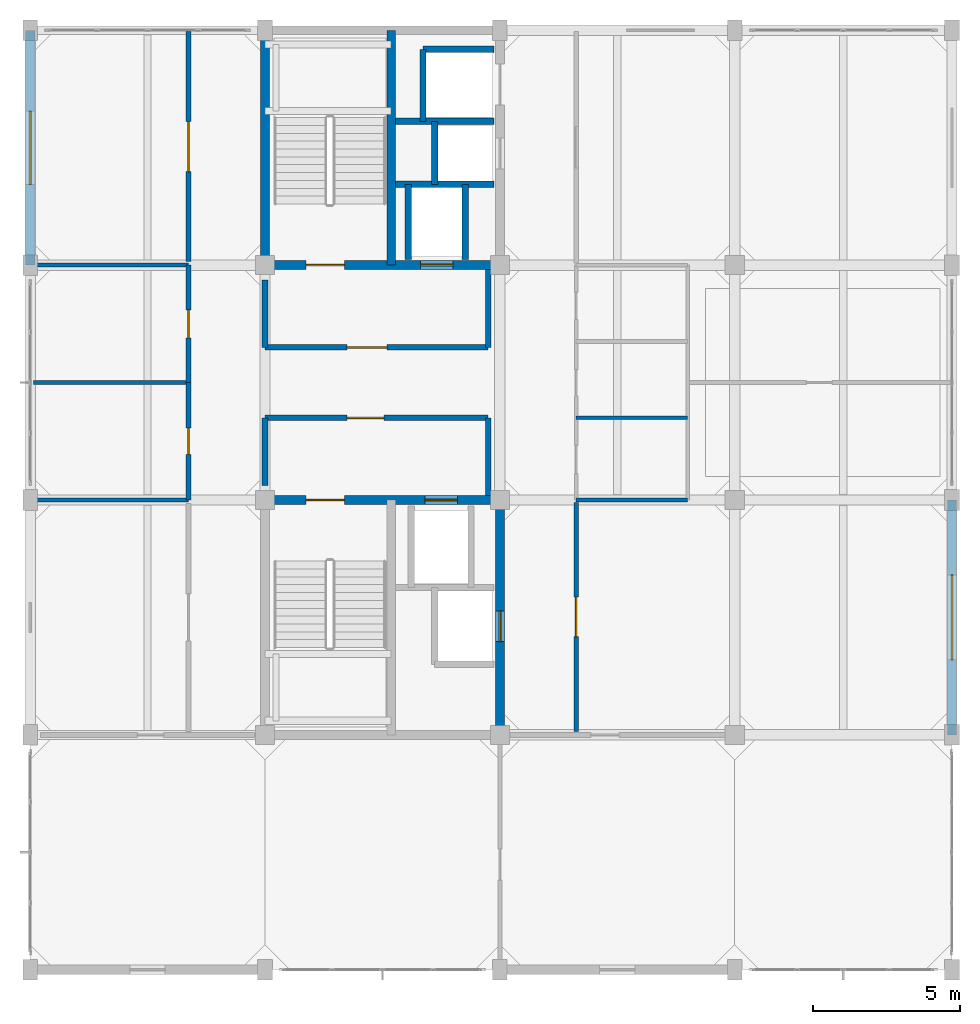
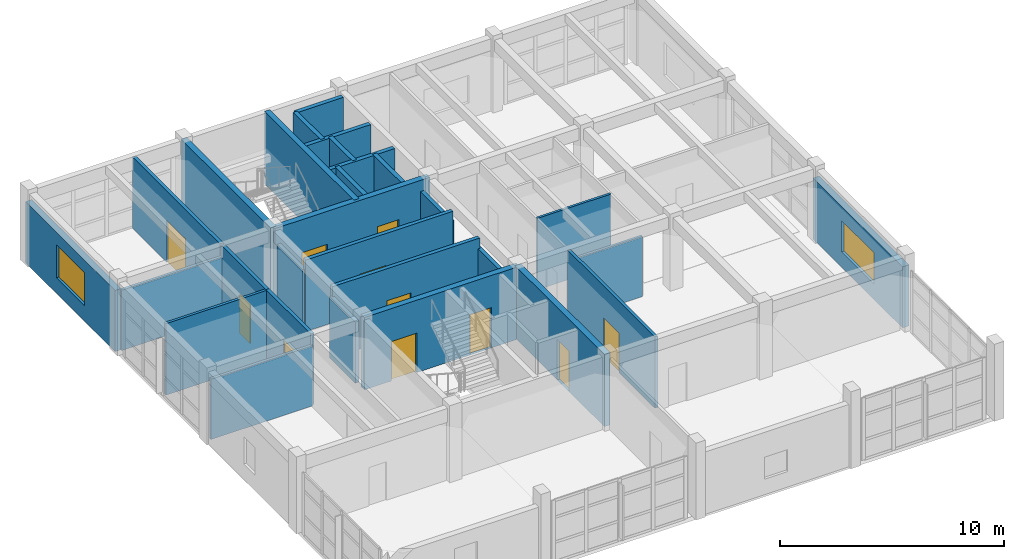
# One storey, part 15 of 18: 29 walls, 11 doors, 2 windows, 13 openings.
"""IFC4 building model written with IfcOpenShell, lengths in metres."""

from ifc_helpers import new_model, si_unit, direction, frame, frame_2d, origin, place, context, subcontext, project, spatial, rectangle, extrude, material, layer, layer_set, type_object, element, fill, save


model = new_model("IFC4")

# Units and contexts
model_context = context("Model", 3, precision=1e-05, world=origin(), true_north=direction((0.0, 1.0)))
body_context = subcontext(model_context, "Body", "Model", "MODEL_VIEW")
ifc_project = project(units=[si_unit("LENGTHUNIT", "METRE"), si_unit("AREAUNIT", "SQUARE_METRE"), si_unit("VOLUMEUNIT", "CUBIC_METRE"), si_unit("PLANEANGLEUNIT", "RADIAN"), si_unit("MASSUNIT", "GRAM", prefix="KILO")], contexts=[model_context])

# Site, building, storey
site_placement = place(None, origin())
site = spatial("IfcSite", under=ifc_project, at=site_placement, CompositionType="ELEMENT")
building_placement = place(site_placement, origin())
building = spatial("IfcBuilding", under=site, at=building_placement, Name="Canggui Botanical Conservatory", CompositionType="ELEMENT")
storey_placement = place(building_placement, frame((0.0, 0.0, 52.800048828125)))
storey = spatial("IfcBuildingStorey", under=building, at=storey_placement, Name="L13", CompositionType="ELEMENT", Elevation=52.800048828125)

# Wall, opening, window
ifc_material_1 = material(Name="Precast Concrete C40", Category="concrete")
ifc_layer_1 = layer(ifc_material_1, 0.320068359375, Name="Precast Concrete C40", Category="concrete")
ifc_layer_set_1 = layer_set([ifc_layer_1], Name="Precast Concrete C40")
wall_type_1 = type_object("IfcWallType", Name="EW-320", PredefinedType="STANDARD", material=ifc_layer_set_1)
wall_1_placement = place(storey_placement, frame((146.0, 58.0, 0.0), z_axis=(0.0, 0.0, 1.0), x_axis=(0.0, 1.0, 0.0)))
wall_1 = element("IfcWall", 1, at=wall_1_placement, inside=storey, type_object=wall_type_1, Name="Tower Insulated Exterior Wall L13-W8", PredefinedType="STANDARD", context=body_context, shape_type="SweptSolid", body=[
    extrude(rectangle(XDim=8.0, YDim=0.320068359375, at=frame_2d((4.0, 0.0))), origin(), (0.0, 0.0, 1.0), 3.33984375),
])
opening_1_placement = place(wall_1_placement, frame((2.75, 0.0, 0.85009765625)))
opening_1 = element("IfcOpeningElement", 2, at=opening_1_placement, cuts=wall_1, Name="Opening W-18", PredefinedType="OPENING", context=body_context, shape_type="SweptSolid", body=[
    extrude(rectangle(XDim=2.5, YDim=1.800048828125, at=frame_2d((1.25, 0.89990234375))), frame((0.0, 0.169921875, 0.0), z_axis=(0.0, -1.0, 0.0), x_axis=(1.0, 0.0, 0.0)), (0.0, 0.0, 1.0), 0.340087890625),
])
ifc_material_2 = material(Name="Low-E Insulated Glass", Category="glass")
window_type_1 = type_object("IfcWindowType", Name="WIN-18", PartitioningType="DOUBLE_PANEL_VERTICAL", PredefinedType="WINDOW", material=ifc_material_2)
window_1_placement = place(opening_1_placement, origin())
window_1 = element("IfcWindow", 3, at=window_1_placement, inside=storey, type_object=window_type_1, Name="Tower Window L13-8", OverallHeight=1.800048828125, OverallWidth=2.5, PartitioningType="SINGLE_PANEL", PredefinedType="WINDOW", context=body_context, shape_type="SweptSolid", body=[
    extrude(rectangle(XDim=2.5, YDim=1.800048828125, at=frame_2d((1.25, 0.89990234375))), frame((0.0, 0.030029296875, 0.0), z_axis=(0.0, -1.0, 0.0), x_axis=(1.0, 0.0, 0.0)), (0.0, 0.0, 1.0), 0.06005859375),
])
fill(opening_1, window_1)

wall_2_placement = place(storey_placement, frame((177.39990234375, 50.0, 0.0), z_axis=(0.0, 0.0, 1.0), x_axis=(0.0, -1.0, 0.0)))
wall_2 = element("IfcWall", 4, at=wall_2_placement, inside=storey, type_object=wall_type_1, Name="Tower Insulated Exterior Wall L13-E14", PredefinedType="STANDARD", context=body_context, shape_type="SweptSolid", body=[
    extrude(rectangle(XDim=8.0, YDim=0.320068359375, at=frame_2d((4.0, 0.0))), origin(), (0.0, 0.0, 1.0), 3.33984375),
])
opening_2_placement = place(wall_2_placement, frame((2.550048828125, 0.0, 0.85009765625)))
opening_2 = element("IfcOpeningElement", 5, at=opening_2_placement, cuts=wall_2, Name="Opening W-21", PredefinedType="OPENING", context=body_context, shape_type="SweptSolid", body=[
    extrude(rectangle(XDim=2.89990234375, YDim=1.699951171875, at=frame_2d((1.449951171875, 0.85009765625))), frame((0.0, 0.169921875, 0.0), z_axis=(0.0, -1.0, 0.0), x_axis=(1.0, 0.0, 0.0)), (0.0, 0.0, 1.0), 0.340087890625),
])
window_type_2 = type_object("IfcWindowType", Name="WIN-21", PartitioningType="TRIPLE_PANEL_VERTICAL", PredefinedType="WINDOW", material=ifc_material_2)
window_2_placement = place(opening_2_placement, origin())
window_2 = element("IfcWindow", 6, at=window_2_placement, inside=storey, type_object=window_type_2, Name="Tower Window L13-14", OverallHeight=1.699951171875, OverallWidth=2.89990234375, PartitioningType="SINGLE_PANEL", PredefinedType="WINDOW", context=body_context, shape_type="SweptSolid", body=[
    extrude(rectangle(XDim=2.89990234375, YDim=1.699951171875, at=frame_2d((1.449951171875, 0.85009765625))), frame((0.0, 0.030029296875, 0.0), z_axis=(0.0, -1.0, 0.0), x_axis=(1.0, 0.0, 0.0)), (0.0, 0.0, 1.0), 0.06005859375),
])
fill(opening_2, window_2)

# Wall, opening, door
ifc_material_3 = material(Name="Gypsum Plasterboard Partition")
ifc_layer_2 = layer(ifc_material_3, 0.175048828125, Name="Gypsum Plasterboard Partition")
ifc_layer_set_2 = layer_set([ifc_layer_2], Name="Gypsum Plasterboard Partition")
wall_type_2 = type_object("IfcWallType", Name="IW-CORR-175", PredefinedType="STANDARD", material=ifc_layer_set_2)
wall_3_placement = place(storey_placement, frame((151.39990234375, 58.1201171875, 0.0), z_axis=(0.0, 0.0, 1.0), x_axis=(0.0, 1.0, 0.0)))
wall_3 = element("IfcWall", 7, at=wall_3_placement, inside=storey, type_object=wall_type_2, Name="L13 Containment Write-Up Studio Corridor Wall", PredefinedType="STANDARD", context=body_context, shape_type="SweptSolid", body=[
    extrude(rectangle(XDim=7.829833984375, YDim=0.175048828125, at=frame_2d((3.9150390625, 0.0))), origin(), (0.0, 0.0, 1.0), 3.89990234375),
])
opening_3_placement = place(wall_3_placement, frame((3.06494140625, 0.0, 0.0)))
opening_3 = element("IfcOpeningElement", 8, at=opening_3_placement, cuts=wall_3, Name="Opening FD-16", PredefinedType="OPENING", context=body_context, shape_type="SweptSolid", body=[
    extrude(rectangle(XDim=1.699951171875, YDim=2.300048828125, at=frame_2d((0.85009765625, 1.14990234375))), frame((0.0, 0.09765625, 0.0), z_axis=(0.0, -1.0, 0.0), x_axis=(1.0, 0.0, 0.0)), (0.0, 0.0, 1.0), 0.195068359375),
])
ifc_material_4 = material(Name="Powder-Coated Steel", Category="steel")
door_type_1 = type_object("IfcDoorType", Name="FD-16", OperationType="NOTDEFINED", PredefinedType="DOOR", material=ifc_material_4)
door_1_placement = place(opening_3_placement, origin())
door_1 = element("IfcDoor", 9, at=door_1_placement, inside=storey, type_object=door_type_1, Name="L13 Containment Write-Up Studio Entrance Door", OperationType="DOUBLE_DOOR_SINGLE_SWING", OverallHeight=2.300048828125, OverallWidth=1.699951171875, PredefinedType="DOOR", context=body_context, shape_type="SweptSolid", body=[
    extrude(rectangle(XDim=1.699951171875, YDim=2.300048828125, at=frame_2d((0.85009765625, 1.14990234375))), frame((0.0, 0.02490234375, 0.0), z_axis=(0.0, -1.0, 0.0), x_axis=(1.0, 0.0, 0.0)), (0.0, 0.0, 1.0), 0.050048828125),
])
fill(opening_3, door_1)

wall_4_placement = place(storey_placement, frame((151.39990234375, 50.0, 0.0), z_axis=(0.0, 0.0, 1.0), x_axis=(0.0, 1.0, 0.0)))
wall_4 = element("IfcWall", 10, at=wall_4_placement, inside=storey, type_object=wall_type_2, Name="L13 Cleaners' Store Wall", PredefinedType="STANDARD", context=body_context, shape_type="SweptSolid", body=[
    extrude(rectangle(XDim=4.0, YDim=0.175048828125, at=frame_2d((2.0, 0.0))), origin(), (0.0, 0.0, 1.0), 3.89990234375),
])
opening_4_placement = place(wall_4_placement, frame((1.550048828125, 0.0, 0.0)))
opening_4 = element("IfcOpeningElement", 11, at=opening_4_placement, cuts=wall_4, Name="Opening FD-01", PredefinedType="OPENING", context=body_context, shape_type="SweptSolid", body=[
    extrude(rectangle(XDim=0.89990234375, YDim=2.10009765625, at=frame_2d((0.449951171875, 1.050048828125))), frame((0.0, 0.09765625, 0.0), z_axis=(0.0, -1.0, 0.0), x_axis=(1.0, 0.0, 0.0)), (0.0, 0.0, 1.0), 0.195068359375),
])
door_type_2 = type_object("IfcDoorType", Name="FD-01", OperationType="NOTDEFINED", PredefinedType="DOOR", material=ifc_material_4)
door_2_placement = place(opening_4_placement, origin())
door_2 = element("IfcDoor", 12, at=door_2_placement, inside=storey, type_object=door_type_2, Name="Interior Door IW-L13-STRW1", OperationType="SINGLE_SWING_RIGHT", OverallHeight=2.10009765625, OverallWidth=0.89990234375, PredefinedType="DOOR", context=body_context, shape_type="SweptSolid", body=[
    extrude(rectangle(XDim=0.89990234375, YDim=2.10009765625, at=frame_2d((0.449951171875, 1.050048828125))), frame((0.0, 0.02490234375, 0.0), z_axis=(0.0, -1.0, 0.0), x_axis=(1.0, 0.0, 0.0)), (0.0, 0.0, 1.0), 0.050048828125),
])
fill(opening_4, door_2)

wall_5_placement = place(storey_placement, frame((151.39990234375, 54.0, 0.0), z_axis=(0.0, 0.0, 1.0), x_axis=(0.0, 1.0, 0.0)))
wall_5 = element("IfcWall", 13, at=wall_5_placement, inside=storey, type_object=wall_type_2, Name="L13 Consumables Store Wall", PredefinedType="STANDARD", context=body_context, shape_type="SweptSolid", body=[
    extrude(rectangle(XDim=4.0, YDim=0.175048828125, at=frame_2d((2.0, 0.0))), origin(), (0.0, 0.0, 1.0), 3.89990234375),
])
opening_5_placement = place(wall_5_placement, frame((1.52490234375, 0.0, 0.0)))
opening_5 = element("IfcOpeningElement", 14, at=opening_5_placement, cuts=wall_5, Name="Opening FD-02", PredefinedType="OPENING", context=body_context, shape_type="SweptSolid", body=[
    extrude(rectangle(XDim=0.949951171875, YDim=2.10009765625, at=frame_2d((0.47509765625, 1.050048828125))), frame((0.0, 0.09765625, 0.0), z_axis=(0.0, -1.0, 0.0), x_axis=(1.0, 0.0, 0.0)), (0.0, 0.0, 1.0), 0.195068359375),
])
door_type_3 = type_object("IfcDoorType", Name="FD-02", OperationType="NOTDEFINED", PredefinedType="DOOR", material=ifc_material_4)
door_3_placement = place(opening_5_placement, origin())
door_3 = element("IfcDoor", 15, at=door_3_placement, inside=storey, type_object=door_type_3, Name="Interior Door IW-L13-STRW2", OperationType="SINGLE_SWING_LEFT", OverallHeight=2.10009765625, OverallWidth=0.949951171875, PredefinedType="DOOR", context=body_context, shape_type="SweptSolid", body=[
    extrude(rectangle(XDim=0.949951171875, YDim=2.10009765625, at=frame_2d((0.47509765625, 1.050048828125))), frame((0.0, 0.02490234375, 0.0), z_axis=(0.0, -1.0, 0.0), x_axis=(1.0, 0.0, 0.0)), (0.0, 0.0, 1.0), 0.050048828125),
])
fill(opening_5, door_3)

ifc_layer_3 = layer(ifc_material_3, 0.155029296875, Name="Gypsum Plasterboard Partition")
ifc_layer_set_3 = layer_set([ifc_layer_3], Name="Gypsum Plasterboard Partition")
wall_type_3 = type_object("IfcWallType", Name="IW-LAB-155", PredefinedType="STANDARD", material=ifc_layer_set_3)
wall_6_placement = place(storey_placement, frame((164.60009765625, 42.1201171875, 0.0), z_axis=(0.0, 0.0, 1.0), x_axis=(0.0, 1.0, 0.0)))
wall_6 = element("IfcWall", 16, at=wall_6_placement, inside=storey, type_object=wall_type_3, Name="L13 Virology and Bacteriology Laboratory Lab Wall", PredefinedType="STANDARD", context=body_context, shape_type="SweptSolid", body=[
    extrude(rectangle(XDim=7.7998046875, YDim=0.155029296875, at=frame_2d((3.89990234375, 0.0))), origin(), (0.0, 0.0, 1.0), 3.89990234375),
])
opening_6_placement = place(wall_6_placement, frame((3.22509765625, 0.0, 0.0)))
opening_6 = element("IfcOpeningElement", 17, at=opening_6_placement, cuts=wall_6, Name="Opening FD-10", PredefinedType="OPENING", context=body_context, shape_type="SweptSolid", body=[
    extrude(rectangle(XDim=1.35009765625, YDim=2.14990234375, at=frame_2d((0.675048828125, 1.074951171875))), frame((0.0, 0.08740234375, 0.0), z_axis=(0.0, -1.0, 0.0), x_axis=(1.0, 0.0, 0.0)), (0.0, 0.0, 1.0), 0.175048828125),
])
door_type_4 = type_object("IfcDoorType", Name="FD-10", OperationType="NOTDEFINED", PredefinedType="DOOR", material=ifc_material_4)
door_4_placement = place(opening_6_placement, origin())
door_4 = element("IfcDoor", 18, at=door_4_placement, inside=storey, type_object=door_type_4, Name="Interior Door IW-L13-ECOR-1-1", OperationType="SINGLE_SWING_RIGHT", OverallHeight=2.14990234375, OverallWidth=1.35009765625, PredefinedType="DOOR", context=body_context, shape_type="SweptSolid", body=[
    extrude(rectangle(XDim=1.35009765625, YDim=2.14990234375, at=frame_2d((0.675048828125, 1.074951171875))), frame((0.0, 0.02490234375, 0.0), z_axis=(0.0, -1.0, 0.0), x_axis=(1.0, 0.0, 0.0)), (0.0, 0.0, 1.0), 0.050048828125),
])
fill(opening_6, door_4)

ifc_material_5 = material(Name="Concrete C35", Category="concrete")
ifc_layer_4 = layer(ifc_material_5, 0.195068359375, Name="Concrete C35", Category="concrete")
ifc_layer_set_4 = layer_set([ifc_layer_4], Name="Concrete C35")
wall_type_4 = type_object("IfcWallType", Name="IW-LOBBY-195", PredefinedType="STANDARD", material=ifc_layer_set_4)
wall_7_placement = place(storey_placement, frame((154.0, 52.800048828125, 0.0), z_axis=(0.0, 0.0, 1.0), x_axis=(1.0, 0.0, 0.0)))
wall_7 = element("IfcWall", 19, at=wall_7_placement, inside=storey, type_object=wall_type_4, Name="L13 South Firefighting Lift Lobby North Wall", PredefinedType="STANDARD", context=body_context, shape_type="SweptSolid", body=[
    extrude(rectangle(XDim=7.60009765625, YDim=0.195068359375, at=frame_2d((3.800048828125, 0.0))), origin(), (0.0, 0.0, 1.0), 3.89990234375),
])
opening_7_placement = place(wall_7_placement, frame((2.800048828125, 0.0, 0.0)))
opening_7 = element("IfcOpeningElement", 20, at=opening_7_placement, cuts=wall_7, Name="Opening FD-08", PredefinedType="OPENING", context=body_context, shape_type="SweptSolid", body=[
    extrude(rectangle(XDim=1.25, YDim=2.14990234375, at=frame_2d((0.625, 1.074951171875))), frame((0.0, 0.107421875, 0.0), z_axis=(0.0, -1.0, 0.0), x_axis=(1.0, 0.0, 0.0)), (0.0, 0.0, 1.0), 0.215087890625),
])
door_type_5 = type_object("IfcDoorType", Name="FD-08", OperationType="NOTDEFINED", PredefinedType="DOOR", material=ifc_material_4)
door_5_placement = place(opening_7_placement, origin())
door_5 = element("IfcDoor", 21, at=door_5_placement, inside=storey, type_object=door_type_5, Name="L13 South Firefighting Lobby Fire Door", OperationType="SINGLE_SWING_LEFT", OverallHeight=2.14990234375, OverallWidth=1.25, PredefinedType="DOOR", context=body_context, shape_type="SweptSolid", body=[
    extrude(rectangle(XDim=1.25, YDim=2.14990234375, at=frame_2d((0.625, 1.074951171875))), frame((0.0, 0.02490234375, 0.0), z_axis=(0.0, -1.0, 0.0), x_axis=(1.0, 0.0, 0.0)), (0.0, 0.0, 1.0), 0.050048828125),
])
fill(opening_7, door_5)

# Walls
wall_8_placement = place(storey_placement, frame((161.60009765625, 50.14990234375, 0.0), z_axis=(0.0, 0.0, 1.0), x_axis=(0.0, 1.0, 0.0)))
element("IfcWall", 22, at=wall_8_placement, inside=storey, type_object=wall_type_4, Name="L13 South Firefighting Lift Lobby East Wall", PredefinedType="STANDARD", context=body_context, shape_type="SweptSolid", body=[
    extrude(rectangle(XDim=2.650146484375, YDim=0.195068359375, at=frame_2d((1.3251953125, 0.0))), origin(), (0.0, 0.0, 1.0), 3.33984375),
])
wall_9_placement = place(storey_placement, frame((154.0, 50.5, 0.0), z_axis=(0.0, 0.0, 1.0), x_axis=(0.0, 1.0, 0.0)))
element("IfcWall", 23, at=wall_9_placement, inside=storey, type_object=wall_type_4, Name="L13 South Firefighting Lift Lobby West Wall", PredefinedType="STANDARD", context=body_context, shape_type="SweptSolid", body=[
    extrude(rectangle(XDim=2.300048828125, YDim=0.195068359375, at=frame_2d((1.14990234375, 0.0))), origin(), (0.0, 0.0, 1.0), 3.33984375),
])

# Wall, opening, door
wall_10_placement = place(storey_placement, frame((154.0, 55.199951171875, 0.0), z_axis=(0.0, 0.0, 1.0), x_axis=(1.0, 0.0, 0.0)))
wall_10 = element("IfcWall", 24, at=wall_10_placement, inside=storey, type_object=wall_type_4, Name="L13 North Firefighting Lift Lobby South Wall", PredefinedType="STANDARD", context=body_context, shape_type="SweptSolid", body=[
    extrude(rectangle(XDim=7.60009765625, YDim=0.195068359375, at=frame_2d((3.800048828125, 0.0))), origin(), (0.0, 0.0, 1.0), 3.89990234375),
])
opening_8_placement = place(wall_10_placement, frame((2.800048828125, 0.0, 0.0)))
opening_8 = element("IfcOpeningElement", 25, at=opening_8_placement, cuts=wall_10, Name="Opening FD-10", PredefinedType="OPENING", context=body_context, shape_type="SweptSolid", body=[
    extrude(rectangle(XDim=1.35009765625, YDim=2.14990234375, at=frame_2d((0.675048828125, 1.074951171875))), frame((0.0, 0.107421875, 0.0), z_axis=(0.0, -1.0, 0.0), x_axis=(1.0, 0.0, 0.0)), (0.0, 0.0, 1.0), 0.215087890625),
])
door_6_placement = place(opening_8_placement, origin())
door_6 = element("IfcDoor", 26, at=door_6_placement, inside=storey, type_object=door_type_4, Name="L13 North Firefighting Lobby Fire Door", OperationType="SINGLE_SWING_RIGHT", OverallHeight=2.14990234375, OverallWidth=1.35009765625, PredefinedType="DOOR", context=body_context, shape_type="SweptSolid", body=[
    extrude(rectangle(XDim=1.35009765625, YDim=2.14990234375, at=frame_2d((0.675048828125, 1.074951171875))), frame((0.0, 0.02490234375, 0.0), z_axis=(0.0, -1.0, 0.0), x_axis=(1.0, 0.0, 0.0)), (0.0, 0.0, 1.0), 0.050048828125),
])
fill(opening_8, door_6)

# Walls
wall_11_placement = place(storey_placement, frame((161.60009765625, 55.199951171875, 0.0), z_axis=(0.0, 0.0, 1.0), x_axis=(0.0, 1.0, 0.0)))
element("IfcWall", 27, at=wall_11_placement, inside=storey, type_object=wall_type_4, Name="L13 North Firefighting Lift Lobby East Wall", PredefinedType="STANDARD", context=body_context, shape_type="SweptSolid", body=[
    extrude(rectangle(XDim=2.650146484375, YDim=0.195068359375, at=frame_2d((1.3251953125, 0.0))), origin(), (0.0, 0.0, 1.0), 3.33984375),
])
wall_12_placement = place(storey_placement, frame((154.0, 55.199951171875, 0.0), z_axis=(0.0, 0.0, 1.0), x_axis=(0.0, 1.0, 0.0)))
element("IfcWall", 28, at=wall_12_placement, inside=storey, type_object=wall_type_4, Name="L13 North Firefighting Lift Lobby West Wall", PredefinedType="STANDARD", context=body_context, shape_type="SweptSolid", body=[
    extrude(rectangle(XDim=2.300048828125, YDim=0.195068359375, at=frame_2d((1.14990234375, 0.0))), origin(), (0.0, 0.0, 1.0), 3.33984375),
])
ifc_layer_5 = layer(ifc_material_3, 0.139892578125, Name="Gypsum Plasterboard Partition")
ifc_layer_set_5 = layer_set([ifc_layer_5], Name="Gypsum Plasterboard Partition")
wall_type_5 = type_object("IfcWallType", Name="IW-PART-140", PredefinedType="STANDARD", material=ifc_layer_set_5)
wall_13_placement = place(storey_placement, frame((146.1201171875, 50.0, 0.0), z_axis=(0.0, 0.0, 1.0), x_axis=(1.0, 0.0, 0.0)))
element("IfcWall", 29, at=wall_13_placement, inside=storey, type_object=wall_type_5, Name="L13 Store South Cross Wall", PredefinedType="STANDARD", context=body_context, shape_type="SweptSolid", body=[
    extrude(rectangle(XDim=5.27978515625, YDim=0.139892578125, at=frame_2d((2.639892578125, 0.0))), origin(), (0.0, 0.0, 1.0), 3.2900390625),
])
wall_14_placement = place(storey_placement, frame((146.1201171875, 54.0, 0.0), z_axis=(0.0, 0.0, 1.0), x_axis=(1.0, 0.0, 0.0)))
element("IfcWall", 30, at=wall_14_placement, inside=storey, type_object=wall_type_5, Name="L13 Store Cross Wall", PredefinedType="STANDARD", context=body_context, shape_type="SweptSolid", body=[
    extrude(rectangle(XDim=5.27978515625, YDim=0.139892578125, at=frame_2d((2.639892578125, 0.0))), origin(), (0.0, 0.0, 1.0), 3.89990234375),
])
wall_15_placement = place(storey_placement, frame((146.1201171875, 58.0, 0.0), z_axis=(0.0, 0.0, 1.0), x_axis=(1.0, 0.0, 0.0)))
element("IfcWall", 31, at=wall_15_placement, inside=storey, type_object=wall_type_5, Name="L13 Store North Cross Wall", PredefinedType="STANDARD", context=body_context, shape_type="SweptSolid", body=[
    extrude(rectangle(XDim=5.27978515625, YDim=0.139892578125, at=frame_2d((2.639892578125, 0.0))), origin(), (0.0, 0.0, 1.0), 3.2900390625),
])
ifc_layer_6 = layer(ifc_material_5, 0.215087890625, Name="Concrete C35", Category="concrete")
ifc_layer_set_6 = layer_set([ifc_layer_6], Name="Concrete C35")
wall_type_6 = type_object("IfcWallType", Name="IW-SHAFT-215", PredefinedType="STANDARD", material=ifc_layer_set_6)
wall_16_placement = place(storey_placement, frame((158.449951171875, 62.89990234375, 0.0), z_axis=(0.0, 0.0, 1.0), x_axis=(1.0, 0.0, 0.0)))
element("IfcWall", 32, at=wall_16_placement, inside=storey, type_object=wall_type_6, Name="Core T2 Goods Lift Shaft Divider L13", PredefinedType="STANDARD", context=body_context, shape_type="SweptSolid", body=[
    extrude(rectangle(XDim=3.35009765625, YDim=0.215087890625, at=frame_2d((1.675048828125, 0.0))), origin(), (0.0, 0.0, 1.0), 3.89990234375),
])
wall_17_placement = place(storey_placement, frame((160.820068359375, 58.199951171875, 0.0), z_axis=(0.0, 0.0, 1.0), x_axis=(0.0, 1.0, 0.0)))
element("IfcWall", 33, at=wall_17_placement, inside=storey, type_object=wall_type_6, Name="Core T2 Lift Bank Web L13", PredefinedType="STANDARD", context=body_context, shape_type="SweptSolid", body=[
    extrude(rectangle(XDim=2.550048828125, YDim=0.215087890625, at=frame_2d((1.27490234375, 0.0))), origin(), (0.0, 0.0, 1.0), 3.89990234375),
])
wall_18_placement = place(storey_placement, frame((159.3798828125, 62.89990234375, 0.0), z_axis=(0.0, 0.0, 1.0), x_axis=(0.0, 1.0, 0.0)))
element("IfcWall", 34, at=wall_18_placement, inside=storey, type_object=wall_type_6, Name="Core T2 GL-01 West Shaft Wall L13", PredefinedType="STANDARD", context=body_context, shape_type="SweptSolid", body=[
    extrude(rectangle(XDim=2.4501953125, YDim=0.215087890625, at=frame_2d((1.22509765625, 0.0))), origin(), (0.0, 0.0, 1.0), 3.89990234375),
])
wall_19_placement = place(storey_placement, frame((159.3798828125, 65.35009765625, 0.0), z_axis=(0.0, 0.0, 1.0), x_axis=(1.0, 0.0, 0.0)))
element("IfcWall", 35, at=wall_19_placement, inside=storey, type_object=wall_type_6, Name="Core T2 GL-01 North Shaft Wall L13", PredefinedType="STANDARD", context=body_context, shape_type="SweptSolid", body=[
    extrude(rectangle(XDim=2.420166015625, YDim=0.215087890625, at=frame_2d((1.2099609375, 0.0))), origin(), (0.0, 0.0, 1.0), 3.89990234375),
])
wall_20_placement = place(storey_placement, frame((158.449951171875, 60.75, 0.0), z_axis=(0.0, 0.0, 1.0), x_axis=(1.0, 0.0, 0.0)))
element("IfcWall", 36, at=wall_20_placement, inside=storey, type_object=wall_type_6, Name="Core T2 PL-02 South Shaft Wall L13", PredefinedType="STANDARD", context=body_context, shape_type="SweptSolid", body=[
    extrude(rectangle(XDim=3.35009765625, YDim=0.215087890625, at=frame_2d((1.675048828125, 0.0))), origin(), (0.0, 0.0, 1.0), 3.89990234375),
])
wall_21_placement = place(storey_placement, frame((159.780029296875, 60.75, 0.0), z_axis=(0.0, 0.0, 1.0), x_axis=(0.0, 1.0, 0.0)))
element("IfcWall", 37, at=wall_21_placement, inside=storey, type_object=wall_type_6, Name="Core T2 PL-02 West Shaft Wall L13", PredefinedType="STANDARD", context=body_context, shape_type="SweptSolid", body=[
    extrude(rectangle(XDim=2.14990234375, YDim=0.215087890625, at=frame_2d((1.074951171875, 0.0))), origin(), (0.0, 0.0, 1.0), 3.89990234375),
])
wall_22_placement = place(storey_placement, frame((158.8798828125, 58.199951171875, 0.0), z_axis=(0.0, 0.0, 1.0), x_axis=(0.0, 1.0, 0.0)))
element("IfcWall", 38, at=wall_22_placement, inside=storey, type_object=wall_type_6, Name="Core T2 FL-02 West Shaft Wall L13", PredefinedType="STANDARD", context=body_context, shape_type="SweptSolid", body=[
    extrude(rectangle(XDim=2.550048828125, YDim=0.215087890625, at=frame_2d((1.27490234375, 0.0))), origin(), (0.0, 0.0, 1.0), 3.89990234375),
])
ifc_layer_7 = layer(ifc_material_3, 0.125, Name="Gypsum Plasterboard Partition")
ifc_layer_set_7 = layer_set([ifc_layer_7], Name="Gypsum Plasterboard Partition")
wall_type_7 = type_object("IfcWallType", Name="IW-WC-125", PredefinedType="STANDARD", material=ifc_layer_set_7)
wall_23_placement = place(storey_placement, frame((164.60009765625, 50.0, 0.0), z_axis=(0.0, 0.0, 1.0), x_axis=(1.0, 0.0, 0.0)))
element("IfcWall", 39, at=wall_23_placement, inside=storey, type_object=wall_type_7, Name="L13 Restroom Divider Y50.0", PredefinedType="STANDARD", context=body_context, shape_type="SweptSolid", body=[
    extrude(rectangle(XDim=3.7998046875, YDim=0.125, at=frame_2d((1.89990234375, 0.0))), origin(), (0.0, 0.0, 1.0), 3.2900390625),
])
wall_24_placement = place(storey_placement, frame((164.60009765625, 52.800048828125, 0.0), z_axis=(0.0, 0.0, 1.0), x_axis=(1.0, 0.0, 0.0)))
element("IfcWall", 40, at=wall_24_placement, inside=storey, type_object=wall_type_7, Name="L13 Restroom Divider Y52.8", PredefinedType="STANDARD", context=body_context, shape_type="SweptSolid", body=[
    extrude(rectangle(XDim=3.7998046875, YDim=0.125, at=frame_2d((1.89990234375, 0.0))), origin(), (0.0, 0.0, 1.0), 3.89990234375),
])
ifc_layer_8 = layer(ifc_material_5, 0.280029296875, Name="Concrete C35", Category="concrete")
ifc_layer_set_8 = layer_set([ifc_layer_8], Name="Concrete C35")
wall_type_8 = type_object("IfcWallType", Name="WALL-SH-280-C35", PredefinedType="SHEAR", material=ifc_layer_set_8)
wall_25_placement = place(storey_placement, frame((158.300048828125, 58.0, 0.0), z_axis=(0.0, 0.0, 1.0), x_axis=(0.0, 1.0, 0.0)))
element("IfcWall", 41, at=wall_25_placement, inside=storey, type_object=wall_type_8, Name="Core T2 Internal Shear Web L13", PredefinedType="SHEAR", context=body_context, shape_type="SweptSolid", body=[
    extrude(rectangle(XDim=8.0, YDim=0.280029296875, at=frame_2d((4.0, 0.0))), origin(), (0.0, 0.0, 1.0), 3.949951171875),
])

# Wall, opening, door
ifc_layer_9 = layer(ifc_material_5, 0.300048828125, Name="Concrete C35", Category="concrete")
ifc_layer_set_9 = layer_set([ifc_layer_9], Name="Concrete C35")
wall_type_9 = type_object("IfcWallType", Name="WALL-SH-300-C35", PredefinedType="SHEAR", material=ifc_layer_set_9)
wall_26_placement = place(storey_placement, frame((162.0, 42.0, 0.0), z_axis=(0.0, 0.0, 1.0), x_axis=(0.0, 1.0, 0.0)))
wall_26 = element("IfcWall", 42, at=wall_26_placement, inside=storey, type_object=wall_type_9, Name="Core T1 Shear Wall L13-E", PredefinedType="SHEAR", context=body_context, shape_type="SweptSolid", body=[
    extrude(rectangle(XDim=8.0, YDim=0.300048828125, at=frame_2d((4.0, 0.0))), origin(), (0.0, 0.0, 1.0), 3.949951171875),
])
opening_9_placement = place(wall_26_placement, frame((3.175048828125, 0.0, 0.0)))
opening_9 = element("IfcOpeningElement", 43, at=opening_9_placement, cuts=wall_26, Name="Opening LD-02", PredefinedType="OPENING", context=body_context, shape_type="SweptSolid", body=[
    extrude(rectangle(XDim=1.050048828125, YDim=2.199951171875, at=frame_2d((0.52490234375, 1.10009765625))), frame((0.0, 0.16015625, 0.0), z_axis=(0.0, -1.0, 0.0), x_axis=(1.0, 0.0, 0.0)), (0.0, 0.0, 1.0), 0.320068359375),
])
ifc_material_6 = material(Name="Stainless Steel 304", Category="steel")
door_type_6 = type_object("IfcDoorType", Name="LDR-02", OperationType="NOTDEFINED", PredefinedType="DOOR", material=ifc_material_6)
door_7_placement = place(opening_9_placement, origin())
door_7 = element("IfcDoor", 44, at=door_7_placement, inside=storey, type_object=door_type_6, Name="Passenger Lift PL-01 Landing Door L13", OperationType="SLIDING_TO_LEFT", OverallHeight=2.199951171875, OverallWidth=1.050048828125, PredefinedType="DOOR", context=body_context, shape_type="SweptSolid", body=[
    extrude(rectangle(XDim=1.050048828125, YDim=2.199951171875, at=frame_2d((0.52490234375, 1.10009765625))), frame((0.0, 0.02490234375, 0.0), z_axis=(0.0, -1.0, 0.0), x_axis=(1.0, 0.0, 0.0)), (0.0, 0.0, 1.0), 0.050048828125),
])
fill(opening_9, door_7)

# Wall, openings, doors
wall_27_placement = place(storey_placement, frame((162.0, 50.0, 0.0), z_axis=(0.0, 0.0, 1.0), x_axis=(-1.0, 0.0, 0.0)))
wall_27 = element("IfcWall", 45, at=wall_27_placement, inside=storey, type_object=wall_type_9, Name="Core T1 Shear Wall L13-N", PredefinedType="SHEAR", context=body_context, shape_type="SweptSolid", body=[
    extrude(rectangle(XDim=8.0, YDim=0.300048828125, at=frame_2d((4.0, 0.0))), origin(), (0.0, 0.0, 1.0), 3.949951171875),
])
opening_10_placement = place(wall_27_placement, frame((5.300048828125, 0.0, 0.0)))
opening_10 = element("IfcOpeningElement", 46, at=opening_10_placement, cuts=wall_27, Name="Opening FD-09", PredefinedType="OPENING", context=body_context, shape_type="SweptSolid", body=[
    extrude(rectangle(XDim=1.300048828125, YDim=2.14990234375, at=frame_2d((0.64990234375, 1.074951171875))), frame((0.0, 0.16015625, 0.0), z_axis=(0.0, -1.0, 0.0), x_axis=(1.0, 0.0, 0.0)), (0.0, 0.0, 1.0), 0.320068359375),
])
opening_11_placement = place(wall_27_placement, frame((1.449951171875, 0.0, 0.0)))
opening_11 = element("IfcOpeningElement", 47, at=opening_11_placement, cuts=wall_27, Name="Opening LD-01", PredefinedType="OPENING", context=body_context, shape_type="SweptSolid", body=[
    extrude(rectangle(XDim=1.10009765625, YDim=2.199951171875, at=frame_2d((0.550048828125, 1.10009765625))), frame((0.0, 0.16015625, 0.0), z_axis=(0.0, -1.0, 0.0), x_axis=(1.0, 0.0, 0.0)), (0.0, 0.0, 1.0), 0.320068359375),
])
door_type_7 = type_object("IfcDoorType", Name="FD-09", OperationType="NOTDEFINED", PredefinedType="DOOR", material=ifc_material_4)
door_8_placement = place(opening_10_placement, origin())
door_8 = element("IfcDoor", 48, at=door_8_placement, inside=storey, type_object=door_type_7, Name="Tower South Smoke-Proof Stair Door L13", OperationType="SINGLE_SWING_LEFT", OverallHeight=2.14990234375, OverallWidth=1.300048828125, PredefinedType="DOOR", context=body_context, shape_type="SweptSolid", body=[
    extrude(rectangle(XDim=1.300048828125, YDim=2.14990234375, at=frame_2d((0.64990234375, 1.074951171875))), frame((0.0, 0.02490234375, 0.0), z_axis=(0.0, -1.0, 0.0), x_axis=(1.0, 0.0, 0.0)), (0.0, 0.0, 1.0), 0.050048828125),
])
fill(opening_10, door_8)
door_type_8 = type_object("IfcDoorType", Name="LDR-01", OperationType="NOTDEFINED", PredefinedType="DOOR", material=ifc_material_6)
door_9_placement = place(opening_11_placement, origin())
door_9 = element("IfcDoor", 49, at=door_9_placement, inside=storey, type_object=door_type_8, Name="Firefighting Lift FL-01 Landing Door L13", OperationType="SLIDING_TO_LEFT", OverallHeight=2.199951171875, OverallWidth=1.10009765625, PredefinedType="DOOR", context=body_context, shape_type="SweptSolid", body=[
    extrude(rectangle(XDim=1.10009765625, YDim=2.199951171875, at=frame_2d((0.550048828125, 1.10009765625))), frame((0.0, 0.02490234375, 0.0), z_axis=(0.0, -1.0, 0.0), x_axis=(1.0, 0.0, 0.0)), (0.0, 0.0, 1.0), 0.050048828125),
])
fill(opening_11, door_9)

wall_28_placement = place(storey_placement, frame((154.0, 58.0, 0.0), z_axis=(0.0, 0.0, 1.0), x_axis=(1.0, 0.0, 0.0)))
wall_28 = element("IfcWall", 50, at=wall_28_placement, inside=storey, type_object=wall_type_9, Name="Core T2 Shear Wall L13-S", PredefinedType="SHEAR", context=body_context, shape_type="SweptSolid", body=[
    extrude(rectangle(XDim=8.0, YDim=0.300048828125, at=frame_2d((4.0, 0.0))), origin(), (0.0, 0.0, 1.0), 3.949951171875),
])
opening_12_placement = place(wall_28_placement, frame((1.39990234375, 0.0, 0.0)))
opening_12 = element("IfcOpeningElement", 51, at=opening_12_placement, cuts=wall_28, Name="Opening FD-09", PredefinedType="OPENING", context=body_context, shape_type="SweptSolid", body=[
    extrude(rectangle(XDim=1.300048828125, YDim=2.14990234375, at=frame_2d((0.64990234375, 1.074951171875))), frame((0.0, 0.16015625, 0.0), z_axis=(0.0, -1.0, 0.0), x_axis=(1.0, 0.0, 0.0)), (0.0, 0.0, 1.0), 0.320068359375),
])
opening_13_placement = place(wall_28_placement, frame((5.300048828125, 0.0, 0.0)))
opening_13 = element("IfcOpeningElement", 52, at=opening_13_placement, cuts=wall_28, Name="Opening LD-01", PredefinedType="OPENING", context=body_context, shape_type="SweptSolid", body=[
    extrude(rectangle(XDim=1.10009765625, YDim=2.199951171875, at=frame_2d((0.550048828125, 1.10009765625))), frame((0.0, 0.16015625, 0.0), z_axis=(0.0, -1.0, 0.0), x_axis=(1.0, 0.0, 0.0)), (0.0, 0.0, 1.0), 0.320068359375),
])
door_10_placement = place(opening_12_placement, origin())
door_10 = element("IfcDoor", 53, at=door_10_placement, inside=storey, type_object=door_type_7, Name="Tower North Smoke-Proof Stair Door L13", OperationType="SINGLE_SWING_RIGHT", OverallHeight=2.14990234375, OverallWidth=1.300048828125, PredefinedType="DOOR", context=body_context, shape_type="SweptSolid", body=[
    extrude(rectangle(XDim=1.300048828125, YDim=2.14990234375, at=frame_2d((0.64990234375, 1.074951171875))), frame((0.0, 0.02490234375, 0.0), z_axis=(0.0, -1.0, 0.0), x_axis=(1.0, 0.0, 0.0)), (0.0, 0.0, 1.0), 0.050048828125),
])
fill(opening_12, door_10)
door_11_placement = place(opening_13_placement, origin())
door_11 = element("IfcDoor", 54, at=door_11_placement, inside=storey, type_object=door_type_8, Name="Firefighting Lift FL-02 Landing Door L13", OperationType="SLIDING_TO_RIGHT", OverallHeight=2.199951171875, OverallWidth=1.10009765625, PredefinedType="DOOR", context=body_context, shape_type="SweptSolid", body=[
    extrude(rectangle(XDim=1.10009765625, YDim=2.199951171875, at=frame_2d((0.550048828125, 1.10009765625))), frame((0.0, 0.02490234375, 0.0), z_axis=(0.0, -1.0, 0.0), x_axis=(1.0, 0.0, 0.0)), (0.0, 0.0, 1.0), 0.050048828125),
])
fill(opening_13, door_11)

# Wall
wall_29_placement = place(storey_placement, frame((154.0, 66.0, 0.0), z_axis=(0.0, 0.0, 1.0), x_axis=(0.0, -1.0, 0.0)))
element("IfcWall", 55, at=wall_29_placement, inside=storey, type_object=wall_type_9, Name="Core T2 Shear Wall L13-W", PredefinedType="SHEAR", context=body_context, shape_type="SweptSolid", body=[
    extrude(rectangle(XDim=8.0, YDim=0.300048828125, at=frame_2d((4.0, 0.0))), origin(), (0.0, 0.0, 1.0), 3.949951171875),
])

save(model, "model.ifc")
